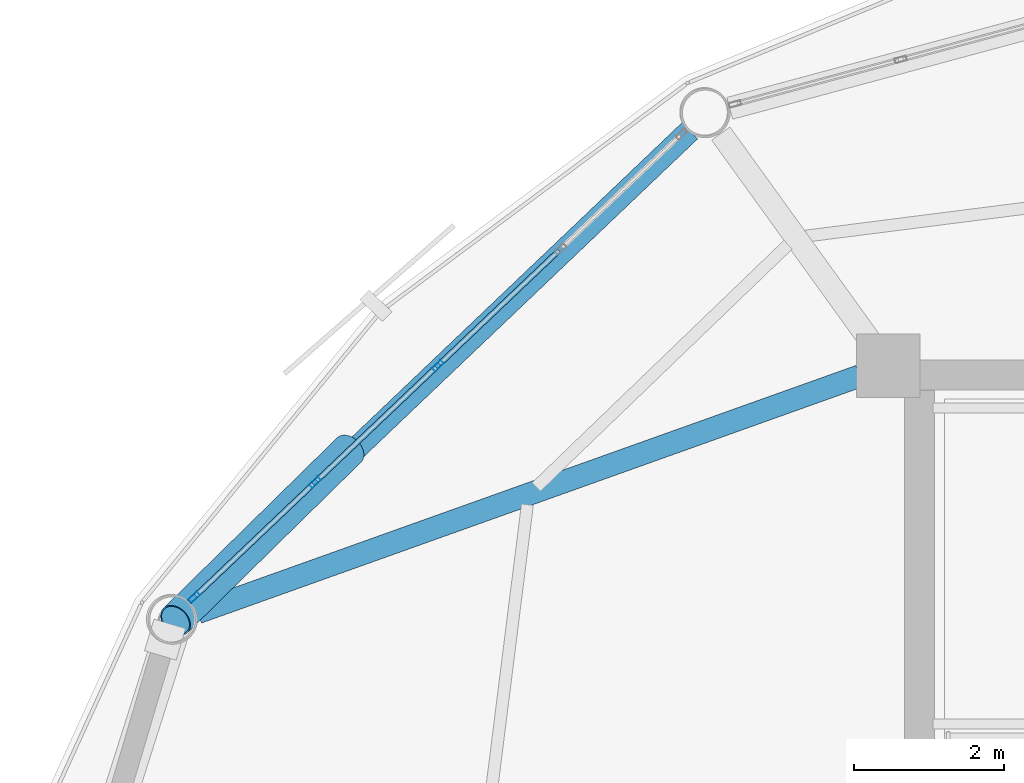
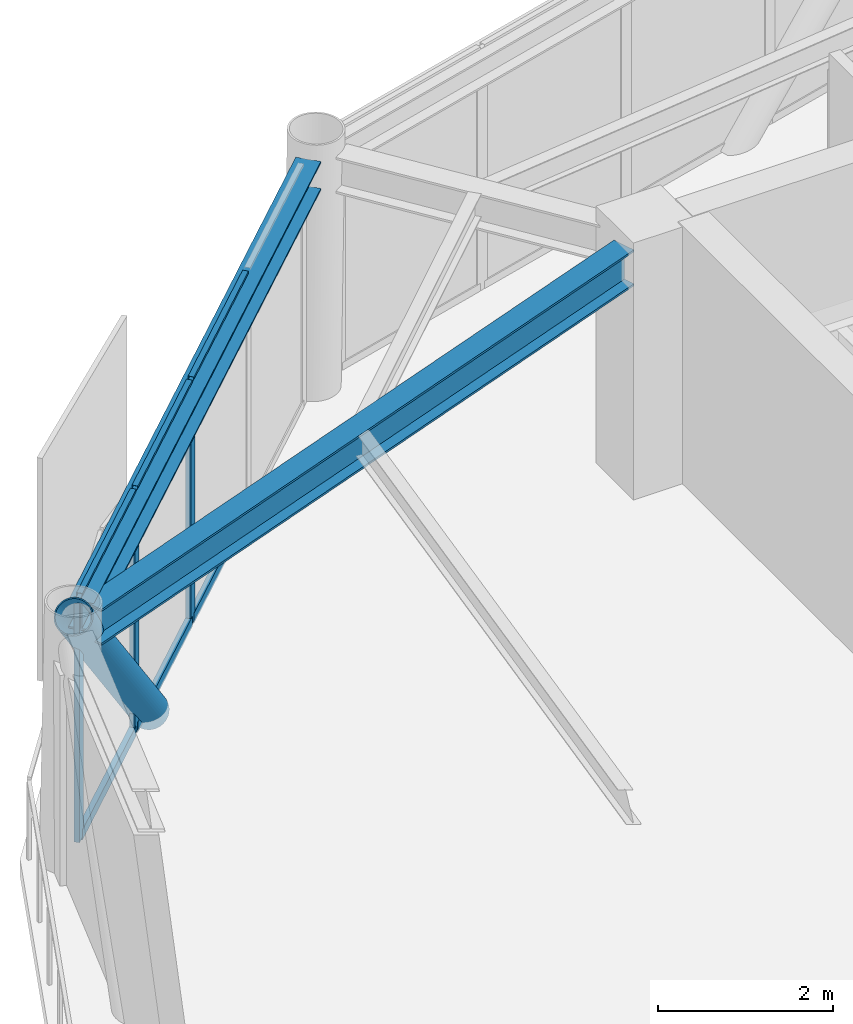
# One storey, part 14 of 29: 10 members, 2 beams, 1 element without a shape of its own.
"""IFC4 building model written with IfcOpenShell, lengths in metres."""

from ifc_helpers import new_model, si_unit, direction, frame, origin, origin_2d, place, context, subcontext, project, spatial, hollow_rectangle, hollow_circle, i_section, extrude, material, layer, layer_set, material_profile, profile_set, type_object, element, aggregate, save


model = new_model("IFC4")

# Units and contexts
model_context = context("Model", 3, precision=1e-05, world=origin(), true_north=direction((0.0, 1.0)))
body_context = subcontext(model_context, "Body", "Model", "MODEL_VIEW")
ifc_project = project(units=[si_unit("LENGTHUNIT", "METRE"), si_unit("AREAUNIT", "SQUARE_METRE"), si_unit("VOLUMEUNIT", "CUBIC_METRE"), si_unit("PLANEANGLEUNIT", "RADIAN"), si_unit("MASSUNIT", "GRAM", prefix="KILO")], contexts=[model_context])

# Site, building, storey
site_placement = place(None, origin())
site = spatial("IfcSite", under=ifc_project, at=site_placement, CompositionType="ELEMENT")
building_placement = place(site_placement, origin())
building = spatial("IfcBuilding", under=site, at=building_placement, Name="Varnakorn Sky Granary", CompositionType="ELEMENT")
storey_placement = place(building_placement, frame((0.0, 0.0, 189.60009765625)))
storey = spatial("IfcBuildingStorey", under=building, at=storey_placement, Name="L47", CompositionType="ELEMENT", Elevation=189.60009765625)

# Beams
ifc_material_1 = material(Name="Steel S355JR", Category="steel")
ifc_material_profile_1 = material_profile(ifc_material_1, i_section(OverallWidth=0.300048828125, OverallDepth=0.5, WebThickness=0.014404296875, FlangeThickness=0.028076171875, at=origin_2d()), Name="HE 500 B")
ifc_profile_set_1 = profile_set([ifc_material_profile_1], Name="Steel S355JR")
beam_type_1 = type_object("IfcBeamType", Name="BM-RAD-Z4", PredefinedType="BEAM", material=ifc_profile_set_1)
beam_1_placement = place(storey_placement, frame((-2.801513671875, 12.48388671875, 3.10986328125), z_axis=(-0.941725419747, -0.336382570598, 0.0), x_axis=(0.336382570598, -0.941725419747, 0.0)))
element("IfcBeam", 1, at=beam_1_placement, inside=storey, type_object=beam_type_1, Name="Radial Floor Girder RG06 L47", PredefinedType="BEAM", context=body_context, shape_type="SweptSolid", body=[
    extrude(i_section(OverallWidth=0.300048828125, OverallDepth=0.5, WebThickness=0.014404296875, FlangeThickness=0.028076171875, at=origin_2d()), origin(), (0.0, 0.0, 1.0), 9.378662109375),
])
ifc_material_profile_2 = material_profile(ifc_material_1, i_section(OverallWidth=0.300048828125, OverallDepth=0.39990234375, WebThickness=0.013427734375, FlangeThickness=0.02392578125, at=origin_2d()), Name="HE 400 B")
ifc_profile_set_2 = profile_set([ifc_material_profile_2], Name="Steel S355JR")
beam_type_2 = type_object("IfcBeamType", Name="BM-SPD-Z4", PredefinedType="SPANDREL", material=ifc_profile_set_2)
beam_2_placement = place(storey_placement, frame((-5.066162109375, 15.757568359375, 3.159912109375), z_axis=(-0.724267193009, -0.689519421866, 0.0), x_axis=(0.689519421866, -0.724267193009, 0.0)))
element("IfcBeam", 2, at=beam_2_placement, inside=storey, type_object=beam_type_2, Name="Perimeter Spandrel Ring Beam RB05 L47", PredefinedType="SPANDREL", context=body_context, shape_type="SweptSolid", body=[
    extrude(i_section(OverallWidth=0.300048828125, OverallDepth=0.39990234375, WebThickness=0.013427734375, FlangeThickness=0.02392578125, at=origin_2d()), origin(), (0.0, 0.0, 1.0), 9.162109375),
])

# Curtain wall, members
ifc_material_2 = material(Name="Anodised Bronze Aluminium Alloy 6063-T6", Category="aluminium")
ifc_layer = layer(ifc_material_2, 0.169921875, Name="Anodised Bronze Aluminium Alloy 6063-T6")
ifc_layer_set = layer_set([ifc_layer], Name="Anodised Bronze Aluminium Alloy 6063-T6")
curtain_wall_type = type_object("IfcCurtainWallType", Name="CW-LAB-1", PredefinedType="USERDEFINED", material=ifc_layer_set)
curtain_wall_placement = place(storey_placement, origin())
curtain_wall = element("IfcCurtainWall", 3, at=curtain_wall_placement, inside=storey, type_object=curtain_wall_type, Name="Unitised Curtain Wall CW5 CW-L47-B05", ObjectType="CURTAIN WALL", PredefinedType="USERDEFINED")
ifc_material_profile_3 = material_profile(ifc_material_2, hollow_rectangle(XDim=0.06494140625, YDim=0.159912109375, WallThickness=0.00341796875, at=origin_2d()), Name="ALU MULL 65x160")
ifc_profile_set_3 = profile_set([ifc_material_profile_3], Name="Anodised Bronze Aluminium Alloy 6063-T6")
member_type_1 = type_object("IfcMemberType", Name="CW-LAB-1-MULL", PredefinedType="MULLION", material=ifc_profile_set_3)
member_1_placement = place(storey_placement, frame((-11.682861328125, 9.531005859375, 0.0), z_axis=(0.0, 0.0, 1.0), x_axis=(-0.688905297757, 0.724851357674, 0.0)))
member_1 = element("IfcMember", 4, at=member_1_placement, type_object=member_type_1, Name="CW5 mullion 1", PredefinedType="MULLION", context=body_context, shape_type="SweptSolid", body=[
    extrude(hollow_rectangle(XDim=0.06494140625, YDim=0.159912109375, WallThickness=0.00341796875, at=origin_2d()), origin(), (0.0, 0.0, 1.0), 3.35986328125),
])
member_2_placement = place(storey_placement, frame((-10.068359375, 11.0654296875, 0.0), z_axis=(0.0, 0.0, 1.0), x_axis=(-0.688905297757, 0.724851357674, 0.0)))
member_2 = element("IfcMember", 5, at=member_2_placement, type_object=member_type_1, Name="CW5 mullion 2", PredefinedType="MULLION", context=body_context, shape_type="SweptSolid", body=[
    extrude(hollow_rectangle(XDim=0.06494140625, YDim=0.159912109375, WallThickness=0.00341796875, at=origin_2d()), origin(), (0.0, 0.0, 1.0), 3.35986328125),
])
member_3_placement = place(storey_placement, frame((-8.430419921875, 12.6220703125, 0.0), z_axis=(0.0, 0.0, 1.0), x_axis=(-0.688905297757, 0.724851357674, 0.0)))
member_3 = element("IfcMember", 6, at=member_3_placement, type_object=member_type_1, Name="CW5 mullion 3", PredefinedType="MULLION", context=body_context, shape_type="SweptSolid", body=[
    extrude(hollow_rectangle(XDim=0.06494140625, YDim=0.159912109375, WallThickness=0.00341796875, at=origin_2d()), origin(), (0.0, 0.0, 1.0), 3.35986328125),
])
ifc_material_profile_4 = material_profile(ifc_material_2, hollow_rectangle(XDim=0.070068359375, YDim=0.139892578125, WallThickness=0.00341796875, at=origin_2d()), Name="ALU TRAN 70x140")
ifc_profile_set_4 = profile_set([ifc_material_profile_4], Name="Anodised Bronze Aluminium Alloy 6063-T6")
member_type_2 = type_object("IfcMemberType", Name="CW-LAB-1-TRAN", PredefinedType="USERDEFINED", material=ifc_profile_set_4)
member_4_placement = place(storey_placement, frame((-11.6591796875, 9.553466796875, 0.034912109375), z_axis=(0.72483307441, 0.688924534503, 0.0), x_axis=(-0.688924534503, 0.72483307441, 0.0)))
member_4 = element("IfcMember", 7, at=member_4_placement, type_object=member_type_2, Name="CW5 transom 1.1", ObjectType="TRANSOM", PredefinedType="USERDEFINED", context=body_context, shape_type="SweptSolid", body=[
    extrude(hollow_rectangle(XDim=0.070068359375, YDim=0.139892578125, WallThickness=0.00341796875, at=origin_2d()), origin(), (0.0, 0.0, 1.0), 2.162109375),
])
member_5_placement = place(storey_placement, frame((-11.6591796875, 9.553466796875, 3.324951171875), z_axis=(0.72483307441, 0.688924534503, 0.0), x_axis=(-0.688924534503, 0.72483307441, 0.0)))
member_5 = element("IfcMember", 8, at=member_5_placement, type_object=member_type_2, Name="CW5 transom 1.2", ObjectType="TRANSOM", PredefinedType="USERDEFINED", context=body_context, shape_type="SweptSolid", body=[
    extrude(hollow_rectangle(XDim=0.070068359375, YDim=0.139892578125, WallThickness=0.00341796875, at=origin_2d()), origin(), (0.0, 0.0, 1.0), 2.162109375),
])
member_6_placement = place(storey_placement, frame((-10.044921875, 11.087646484375, 0.034912109375), z_axis=(0.724843882888, 0.688913162481, 0.0), x_axis=(-0.688913162481, 0.724843882888, 0.0)))
member_6 = element("IfcMember", 9, at=member_6_placement, type_object=member_type_2, Name="CW5 transom 2.1", ObjectType="TRANSOM", PredefinedType="USERDEFINED", context=body_context, shape_type="SweptSolid", body=[
    extrude(hollow_rectangle(XDim=0.070068359375, YDim=0.139892578125, WallThickness=0.00341796875, at=origin_2d()), origin(), (0.0, 0.0, 1.0), 2.19482421875),
])
member_7_placement = place(storey_placement, frame((-10.044921875, 11.087646484375, 3.324951171875), z_axis=(0.724843882888, 0.688913162481, 0.0), x_axis=(-0.688913162481, 0.724843882888, 0.0)))
member_7 = element("IfcMember", 10, at=member_7_placement, type_object=member_type_2, Name="CW5 transom 2.2", ObjectType="TRANSOM", PredefinedType="USERDEFINED", context=body_context, shape_type="SweptSolid", body=[
    extrude(hollow_rectangle(XDim=0.070068359375, YDim=0.139892578125, WallThickness=0.00341796875, at=origin_2d()), origin(), (0.0, 0.0, 1.0), 2.19482421875),
])
member_8_placement = place(storey_placement, frame((-8.406982421875, 12.64453125, 0.034912109375), z_axis=(0.724899433292, 0.68885471009, 0.0), x_axis=(-0.68885471009, 0.724899433292, 0.0)))
member_8 = element("IfcMember", 11, at=member_8_placement, type_object=member_type_2, Name="CW5 transom 3.1", ObjectType="TRANSOM", PredefinedType="USERDEFINED", context=body_context, shape_type="SweptSolid", body=[
    extrude(hollow_rectangle(XDim=0.070068359375, YDim=0.139892578125, WallThickness=0.00341796875, at=origin_2d()), origin(), (0.0, 0.0, 1.0), 2.194580078125),
])
member_9_placement = place(storey_placement, frame((-8.406982421875, 12.64453125, 3.324951171875), z_axis=(0.724899433292, 0.68885471009, 0.0), x_axis=(-0.68885471009, 0.724899433292, 0.0)))
member_9 = element("IfcMember", 12, at=member_9_placement, type_object=member_type_2, Name="CW5 transom 3.2", ObjectType="TRANSOM", PredefinedType="USERDEFINED", context=body_context, shape_type="SweptSolid", body=[
    extrude(hollow_rectangle(XDim=0.070068359375, YDim=0.139892578125, WallThickness=0.00341796875, at=origin_2d()), origin(), (0.0, 0.0, 1.0), 2.194580078125),
])
aggregate(curtain_wall, [member_1, member_2, member_3, member_4, member_5, member_6, member_7, member_8, member_9])

# Member
ifc_material_3 = material(Name="Steel S460M", Category="steel")
ifc_material_profile_5 = material_profile(ifc_material_3, hollow_circle(Radius=0.228515625, WallThickness=0.01611328125, at=origin_2d()), Name="CHS 457x16")
ifc_profile_set_5 = profile_set([ifc_material_profile_5], Name="Steel S460M")
member_type_3 = type_object("IfcMemberType", Name="MB-DIAG-T3", PredefinedType="BRACE", material=ifc_profile_set_5)
member_10_placement = place(storey_placement, frame((-9.61669921875, 11.49462890625, -0.130126953125), z_axis=(-0.485645722282, -0.476881959248, 0.732619839598), x_axis=(0.700639570856, -0.713515375973, 0.0)))
element("IfcMember", 13, at=member_10_placement, inside=storey, type_object=member_type_3, Name="Perimeter CHS Diagrid Brace DG05 L47", PredefinedType="BRACE", context=body_context, shape_type="SweptSolid", body=[
    extrude(hollow_circle(Radius=0.228515625, WallThickness=0.01611328125, at=origin_2d()), origin(), (0.0, 0.0, 1.0), 4.763671875),
])

save(model, "model.ifc")
